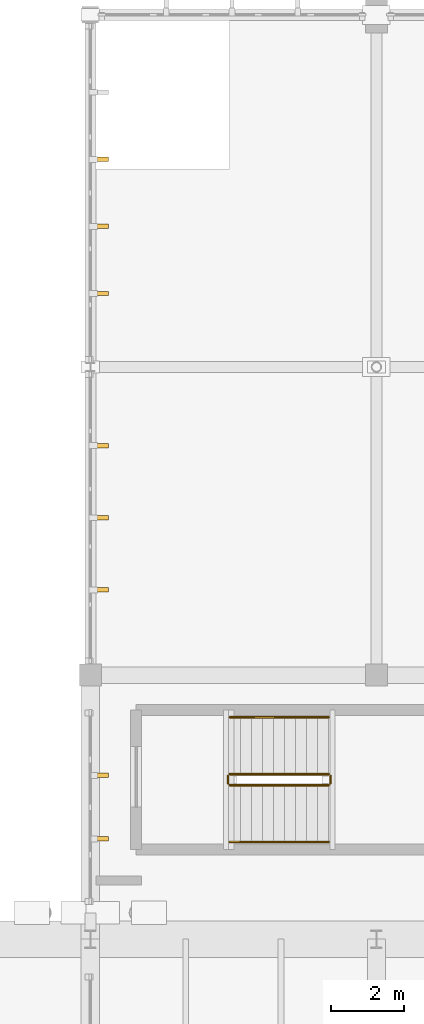
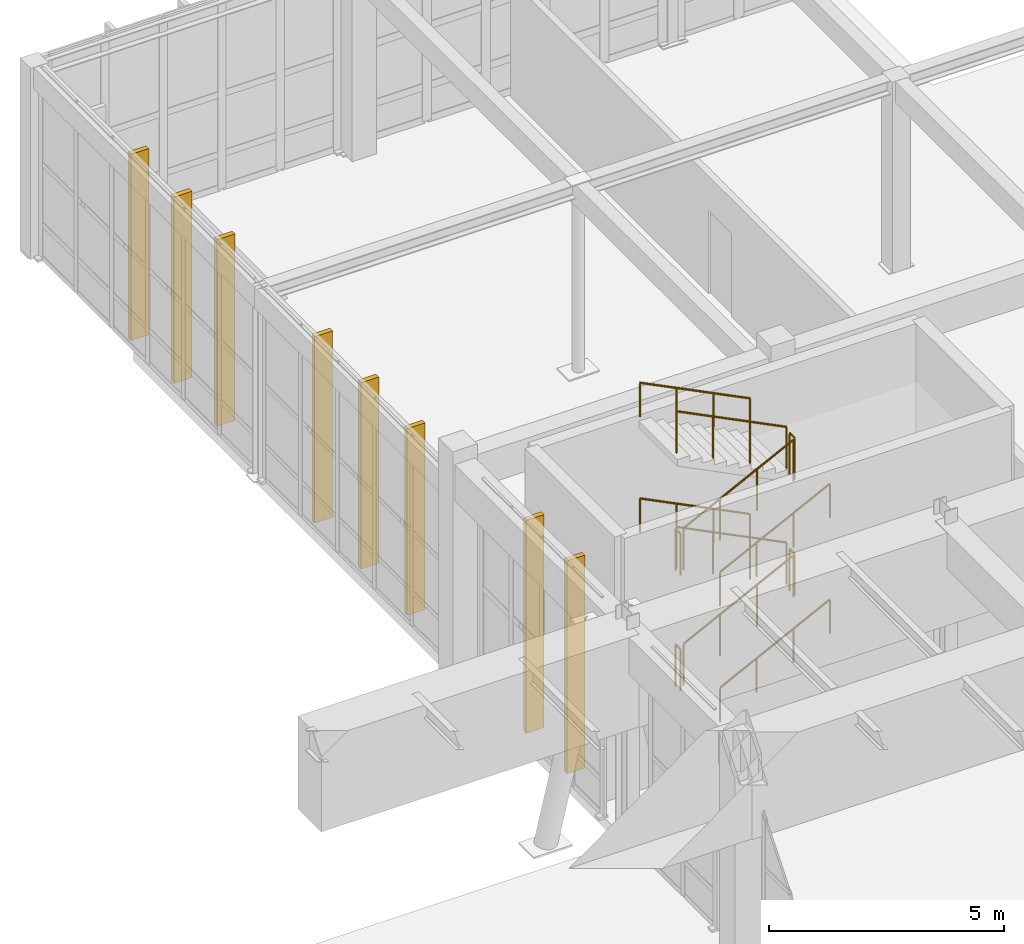
# One storey, part 101 of 110: 12 railings, 8 coverings.
"""IFC4 building model written with IfcOpenShell, lengths in metres."""

from ifc_helpers import new_model, si_unit, direction, frame, origin, origin_2d, place, context, subcontext, project, spatial, rectangle, circle, extrude, material, layer, layer_set, type_object, element, save


model = new_model("IFC4")

# Units and contexts
model_context = context("Model", 3, precision=1e-05, world=origin(), true_north=direction((0.0, 1.0)))
body_context = subcontext(model_context, "Body", "Model", "MODEL_VIEW")
ifc_project = project(units=[si_unit("LENGTHUNIT", "METRE"), si_unit("AREAUNIT", "SQUARE_METRE"), si_unit("VOLUMEUNIT", "CUBIC_METRE"), si_unit("PLANEANGLEUNIT", "RADIAN"), si_unit("MASSUNIT", "GRAM", prefix="KILO")], contexts=[model_context])

# Site, building, storey
site_placement = place(None, origin())
site = spatial("IfcSite", under=ifc_project, at=site_placement, CompositionType="ELEMENT")
building_placement = place(site_placement, origin())
building = spatial("IfcBuilding", under=site, at=building_placement, Name="Tizgana Railside Sports Hall", CompositionType="ELEMENT")
storey_placement = place(building_placement, origin())
storey = spatial("IfcBuildingStorey", under=building, at=storey_placement, Name="L00", CompositionType="ELEMENT", Elevation=0.0)

# Coverings
ifc_material_1 = material(Name="Glulam GL28h", Category="wood")
ifc_layer = layer(ifc_material_1, 0.139892578125, Name="Glulam GL28h")
ifc_layer_set = layer_set([ifc_layer], Name="Glulam GL28h")
covering_type = type_object("IfcCoveringType", Name="Mass-Timber Brise-Soleil & Pergola Fin", PredefinedType="CLADDING", material=ifc_layer_set)
for number, where, z_axis, x_axis, name in (
    (1, (8.080078125, 77.666748046875, 0.0849609375), (0.0, 0.0, 1.0), (0.0, -1.0, 0.0), "L00 Timber Brise-Soleil Fin"),
    (2, (8.080078125, 75.933349609375, 0.0849609375), (0.0, 0.0, 1.0), (0.0, -1.0, 0.0), "L00 Timber Brise-Soleil Fin"),
):
    element("IfcCovering", number, at=place(storey_placement, frame(where, z_axis=z_axis, x_axis=x_axis)), inside=storey, type_object=covering_type, Name=name, PredefinedType="CLADDING", context=body_context, shape_type="SweptSolid", body=[
        extrude(rectangle(XDim=0.1201171875, YDim=0.43994140625, at=origin_2d()), origin(), (0.0, 0.0, 1.0), 5.52490234375),
    ])
for number, where, z_axis, x_axis, name in (
    (3, (8.080078125, 86.657470703125, 0.0849609375), (0.0, 0.0, 1.0), (0.0, -1.0, 0.0), "L00 Timber Brise-Soleil Fin"),
    (4, (8.080078125, 84.68994140625, 0.0849609375), (0.0, 0.0, 1.0), (0.0, -1.0, 0.0), "L00 Timber Brise-Soleil Fin"),
    (5, (8.080078125, 82.722412109375, 0.0849609375), (0.0, 0.0, 1.0), (0.0, -1.0, 0.0), "L00 Timber Brise-Soleil Fin"),
    (6, (8.080078125, 94.4619140625, 0.0849609375), (0.0, 0.0, 1.0), (0.0, -1.0, 0.0), "L00 Timber Brise-Soleil Fin"),
    (7, (8.080078125, 92.633056640625, 0.0849609375), (0.0, 0.0, 1.0), (0.0, -1.0, 0.0), "L00 Timber Brise-Soleil Fin"),
    (8, (8.080078125, 90.803955078125, 0.0849609375), (0.0, 0.0, 1.0), (0.0, -1.0, 0.0), "L00 Timber Brise-Soleil Fin"),
):
    element("IfcCovering", number, at=place(storey_placement, frame(where, z_axis=z_axis, x_axis=x_axis)), inside=storey, type_object=covering_type, Name=name, PredefinedType="CLADDING", context=body_context, shape_type="SweptSolid", body=[
        extrude(rectangle(XDim=0.1201171875, YDim=0.43994140625, at=origin_2d()), origin(), (0.0, 0.0, 1.0), 4.8349609375),
    ])

# Railings
ifc_material_2 = material(Name="Galvanised steel sheet", Category="steel")
railing_type_1 = type_object("IfcRailingType", Name="Safety Balustrade Guard 1100", PredefinedType="BALUSTRADE", material=ifc_material_2)
railing_1_placement = place(storey_placement, frame((11.60009765625, 77.39990234375, 0.14990234375)))
element("IfcRailing", 9, at=railing_1_placement, inside=storey, type_object=railing_type_1, Name="L00 ST-07 stair guard 1", PredefinedType="BALUSTRADE", context=body_context, shape_type="SweptSolid", body=[
    extrude(circle(Radius=0.02392578125, at=origin_2d()), frame((0.0, 0.0, 1.076171875), z_axis=(0.894411015155, 0.0, 0.447245945728), x_axis=(0.0, 1.0, 0.0)), (0.0, 0.0, 1.0), 3.018798828125),
    extrude(circle(Radius=0.02099609375, at=origin_2d()), origin(), (0.0, 0.0, 1.0), 1.052001953125),
    extrude(circle(Radius=0.02099609375, at=origin_2d()), frame((0.89990234375, 0.0, 0.449951171875)), (0.0, 0.0, 1.0), 1.052001953125),
    extrude(circle(Radius=0.02099609375, at=origin_2d()), frame((1.800048828125, 0.0, 0.900146484375)), (0.0, 0.0, 1.0), 1.052001953125),
    extrude(circle(Radius=0.02099609375, at=origin_2d()), frame((2.699951171875, 0.0, 1.35009765625)), (0.0, 0.0, 1.0), 1.052001953125),
])
railing_2_placement = place(storey_placement, frame((14.35009765625, 77.449951171875, 1.5)))
element("IfcRailing", 10, at=railing_2_placement, inside=storey, type_object=railing_type_1, Name="L00 ST-07 stair guard 2", PredefinedType="BALUSTRADE", context=body_context, shape_type="SweptSolid", body=[
    extrude(circle(Radius=0.02392578125, at=origin_2d()), frame((0.0, 0.0, 1.076171875), z_axis=(0.0, 1.0, 0.0), x_axis=(-1.0, 0.0, 0.0)), (0.0, 0.0, 1.0), 0.199951171875),
    extrude(circle(Radius=0.02099609375, at=origin_2d()), origin(), (0.0, 0.0, 1.0), 1.052001953125),
    extrude(circle(Radius=0.02099609375, at=origin_2d()), frame((0.0, 0.199951171875, 0.0)), (0.0, 0.0, 1.0), 1.052001953125),
])
railing_3_placement = place(storey_placement, frame((14.300048828125, 77.699951171875, 1.64990234375)))
element("IfcRailing", 11, at=railing_3_placement, inside=storey, type_object=railing_type_1, Name="L00 ST-07 stair guard 3", PredefinedType="BALUSTRADE", context=body_context, shape_type="SweptSolid", body=[
    extrude(circle(Radius=0.02392578125, at=origin_2d()), frame((0.0, 0.0, 1.076171875), z_axis=(-0.894411015155, 0.0, 0.447245945728), x_axis=(0.0, -1.0, 0.0)), (0.0, 0.0, 1.0), 3.018798828125),
    extrude(circle(Radius=0.02099609375, at=origin_2d()), origin(), (0.0, 0.0, 1.0), 1.052001953125),
    extrude(circle(Radius=0.02099609375, at=origin_2d()), frame((-0.89990234375, 0.0, 0.449951171875)), (0.0, 0.0, 1.0), 1.052001953125),
    extrude(circle(Radius=0.02099609375, at=origin_2d()), frame((-1.800048828125, 0.0, 0.900146484375)), (0.0, 0.0, 1.0), 1.052001953125),
    extrude(circle(Radius=0.02099609375, at=origin_2d()), frame((-2.699951171875, 0.0, 1.35009765625)), (0.0, 0.0, 1.0), 1.052001953125),
])
railing_4_placement = place(storey_placement, frame((11.550048828125, 77.449951171875, 3.0)))
element("IfcRailing", 12, at=railing_4_placement, inside=storey, type_object=railing_type_1, Name="L00 ST-07 stair guard 4", PredefinedType="BALUSTRADE", context=body_context, shape_type="SweptSolid", body=[
    extrude(circle(Radius=0.02392578125, at=origin_2d()), frame((0.0, 0.0, 1.076171875), z_axis=(0.0, 1.0, 0.0), x_axis=(-1.0, 0.0, 0.0)), (0.0, 0.0, 1.0), 0.199951171875),
    extrude(circle(Radius=0.02099609375, at=origin_2d()), origin(), (0.0, 0.0, 1.0), 1.052001953125),
    extrude(circle(Radius=0.02099609375, at=origin_2d()), frame((0.0, 0.199951171875, 0.0)), (0.0, 0.0, 1.0), 1.052001953125),
])
railing_5_placement = place(storey_placement, frame((11.60009765625, 77.39990234375, 3.14990234375)))
element("IfcRailing", 13, at=railing_5_placement, inside=storey, type_object=railing_type_1, Name="L00 ST-07 stair guard 5", PredefinedType="BALUSTRADE", context=body_context, shape_type="SweptSolid", body=[
    extrude(circle(Radius=0.02392578125, at=origin_2d()), frame((0.0, 0.0, 1.076171875), z_axis=(0.894411015155, 0.0, 0.447245945728), x_axis=(0.0, 1.0, 0.0)), (0.0, 0.0, 1.0), 3.018798828125),
    extrude(circle(Radius=0.02099609375, at=origin_2d()), origin(), (0.0, 0.0, 1.0), 1.052001953125),
    extrude(circle(Radius=0.02099609375, at=origin_2d()), frame((0.89990234375, 0.0, 0.449951171875)), (0.0, 0.0, 1.0), 1.052001953125),
    extrude(circle(Radius=0.02099609375, at=origin_2d()), frame((1.800048828125, 0.0, 0.900146484375)), (0.0, 0.0, 1.0), 1.052001953125),
    extrude(circle(Radius=0.02099609375, at=origin_2d()), frame((2.699951171875, 0.0, 1.35009765625)), (0.0, 0.0, 1.0), 1.052001953125),
])
railing_6_placement = place(storey_placement, frame((14.35009765625, 77.449951171875, 4.5)))
element("IfcRailing", 14, at=railing_6_placement, inside=storey, type_object=railing_type_1, Name="L00 ST-07 stair guard 6", PredefinedType="BALUSTRADE", context=body_context, shape_type="SweptSolid", body=[
    extrude(circle(Radius=0.02392578125, at=origin_2d()), frame((0.0, 0.0, 1.076171875), z_axis=(0.0, 1.0, 0.0), x_axis=(-1.0, 0.0, 0.0)), (0.0, 0.0, 1.0), 0.199951171875),
    extrude(circle(Radius=0.02099609375, at=origin_2d()), origin(), (0.0, 0.0, 1.0), 1.052001953125),
    extrude(circle(Radius=0.02099609375, at=origin_2d()), frame((0.0, 0.199951171875, 0.0)), (0.0, 0.0, 1.0), 1.052001953125),
])
railing_7_placement = place(storey_placement, frame((14.300048828125, 77.699951171875, 4.64990234375)))
element("IfcRailing", 15, at=railing_7_placement, inside=storey, type_object=railing_type_1, Name="L00 ST-07 stair guard 7", PredefinedType="BALUSTRADE", context=body_context, shape_type="SweptSolid", body=[
    extrude(circle(Radius=0.02392578125, at=origin_2d()), frame((0.0, 0.0, 1.076171875), z_axis=(-0.894411015155, 0.0, 0.447245945728), x_axis=(0.0, -1.0, 0.0)), (0.0, 0.0, 1.0), 3.018798828125),
    extrude(circle(Radius=0.02099609375, at=origin_2d()), origin(), (0.0, 0.0, 1.0), 1.052001953125),
    extrude(circle(Radius=0.02099609375, at=origin_2d()), frame((-0.89990234375, 0.0, 0.449951171875)), (0.0, 0.0, 1.0), 1.052001953125),
    extrude(circle(Radius=0.02099609375, at=origin_2d()), frame((-1.800048828125, 0.0, 0.900146484375)), (0.0, 0.0, 1.0), 1.052001953125),
    extrude(circle(Radius=0.02099609375, at=origin_2d()), frame((-2.699951171875, 0.0, 1.35009765625)), (0.0, 0.0, 1.0), 1.052001953125),
])
railing_8_placement = place(storey_placement, frame((11.550048828125, 77.449951171875, 0.0)))
element("IfcRailing", 16, at=railing_8_placement, inside=storey, type_object=railing_type_1, Name="L00 ST-07 stair guard 8", PredefinedType="BALUSTRADE", context=body_context, shape_type="SweptSolid", body=[
    extrude(circle(Radius=0.02392578125, at=origin_2d()), frame((0.0, 0.0, 1.076171875), z_axis=(0.0, 1.0, 0.0), x_axis=(-1.0, 0.0, 0.0)), (0.0, 0.0, 1.0), 0.199951171875),
    extrude(circle(Radius=0.02099609375, at=origin_2d()), origin(), (0.0, 0.0, 1.0), 1.052001953125),
    extrude(circle(Radius=0.02099609375, at=origin_2d()), frame((0.0, 0.199951171875, 0.0)), (0.0, 0.0, 1.0), 1.052001953125),
])
ifc_material_3 = material(Name="Brushed stainless steel", Category="steel")
railing_type_2 = type_object("IfcRailingType", Name="Stair & Ramp Wall Handrail 900", PredefinedType="HANDRAIL", material=ifc_material_3)
railing_9_placement = place(storey_placement, frame((11.60009765625, 75.85009765625, 0.14990234375)))
element("IfcRailing", 17, at=railing_9_placement, inside=storey, type_object=railing_type_2, Name="L00 ST-07 stair handrail 1", PredefinedType="HANDRAIL", context=body_context, shape_type="SweptSolid", body=[
    extrude(circle(Radius=0.02392578125, at=origin_2d()), frame((0.0, 0.0, 0.8759765625), z_axis=(0.894411015155, 0.0, 0.447245945728), x_axis=(0.0, 1.0, 0.0)), (0.0, 0.0, 1.0), 3.018798828125),
    extrude(circle(Radius=0.02099609375, at=origin_2d()), origin(), (0.0, 0.0, 1.0), 0.851806640625),
    extrude(circle(Radius=0.02099609375, at=origin_2d()), frame((0.89990234375, 0.0, 0.449951171875)), (0.0, 0.0, 1.0), 0.851806640625),
    extrude(circle(Radius=0.02099609375, at=origin_2d()), frame((1.800048828125, 0.0, 0.900146484375)), (0.0, 0.0, 1.0), 0.851806640625),
    extrude(circle(Radius=0.02099609375, at=origin_2d()), frame((2.699951171875, 0.0, 1.35009765625)), (0.0, 0.0, 1.0), 0.851806640625),
])
railing_10_placement = place(storey_placement, frame((14.300048828125, 79.25, 1.64990234375)))
element("IfcRailing", 18, at=railing_10_placement, inside=storey, type_object=railing_type_2, Name="L00 ST-07 stair handrail 2", PredefinedType="HANDRAIL", context=body_context, shape_type="SweptSolid", body=[
    extrude(circle(Radius=0.02392578125, at=origin_2d()), frame((0.0, 0.0, 0.8759765625), z_axis=(-0.894411015155, 0.0, 0.447245945728), x_axis=(0.0, -1.0, 0.0)), (0.0, 0.0, 1.0), 3.018798828125),
    extrude(circle(Radius=0.02099609375, at=origin_2d()), origin(), (0.0, 0.0, 1.0), 0.851806640625),
    extrude(circle(Radius=0.02099609375, at=origin_2d()), frame((-0.89990234375, 0.0, 0.449951171875)), (0.0, 0.0, 1.0), 0.851806640625),
    extrude(circle(Radius=0.02099609375, at=origin_2d()), frame((-1.800048828125, 0.0, 0.900146484375)), (0.0, 0.0, 1.0), 0.851806640625),
    extrude(circle(Radius=0.02099609375, at=origin_2d()), frame((-2.699951171875, 0.0, 1.35009765625)), (0.0, 0.0, 1.0), 0.851806640625),
])
railing_11_placement = place(storey_placement, frame((11.60009765625, 75.85009765625, 3.14990234375)))
element("IfcRailing", 19, at=railing_11_placement, inside=storey, type_object=railing_type_2, Name="L00 ST-07 stair handrail 3", PredefinedType="HANDRAIL", context=body_context, shape_type="SweptSolid", body=[
    extrude(circle(Radius=0.02392578125, at=origin_2d()), frame((0.0, 0.0, 0.8759765625), z_axis=(0.894411015155, 0.0, 0.447245945728), x_axis=(0.0, 1.0, 0.0)), (0.0, 0.0, 1.0), 3.018798828125),
    extrude(circle(Radius=0.02099609375, at=origin_2d()), origin(), (0.0, 0.0, 1.0), 0.851806640625),
    extrude(circle(Radius=0.02099609375, at=origin_2d()), frame((0.89990234375, 0.0, 0.449951171875)), (0.0, 0.0, 1.0), 0.851806640625),
    extrude(circle(Radius=0.02099609375, at=origin_2d()), frame((1.800048828125, 0.0, 0.900146484375)), (0.0, 0.0, 1.0), 0.851806640625),
    extrude(circle(Radius=0.02099609375, at=origin_2d()), frame((2.699951171875, 0.0, 1.35009765625)), (0.0, 0.0, 1.0), 0.851806640625),
])
railing_12_placement = place(storey_placement, frame((14.300048828125, 79.25, 4.64990234375)))
element("IfcRailing", 20, at=railing_12_placement, inside=storey, type_object=railing_type_2, Name="L00 ST-07 stair handrail 4", PredefinedType="HANDRAIL", context=body_context, shape_type="SweptSolid", body=[
    extrude(circle(Radius=0.02392578125, at=origin_2d()), frame((0.0, 0.0, 0.8759765625), z_axis=(-0.894411015155, 0.0, 0.447245945728), x_axis=(0.0, -1.0, 0.0)), (0.0, 0.0, 1.0), 3.018798828125),
    extrude(circle(Radius=0.02099609375, at=origin_2d()), origin(), (0.0, 0.0, 1.0), 0.851806640625),
    extrude(circle(Radius=0.02099609375, at=origin_2d()), frame((-0.89990234375, 0.0, 0.449951171875)), (0.0, 0.0, 1.0), 0.851806640625),
    extrude(circle(Radius=0.02099609375, at=origin_2d()), frame((-1.800048828125, 0.0, 0.900146484375)), (0.0, 0.0, 1.0), 0.851806640625),
    extrude(circle(Radius=0.02099609375, at=origin_2d()), frame((-2.699951171875, 0.0, 1.35009765625)), (0.0, 0.0, 1.0), 0.851806640625),
])

save(model, "model.ifc")
